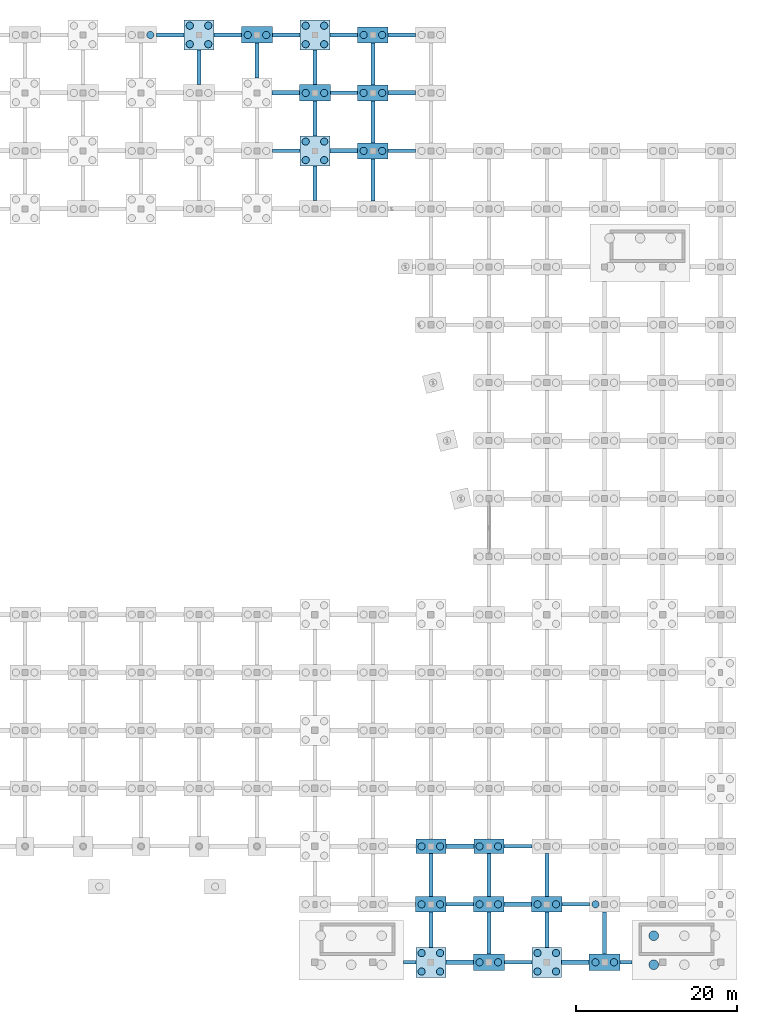
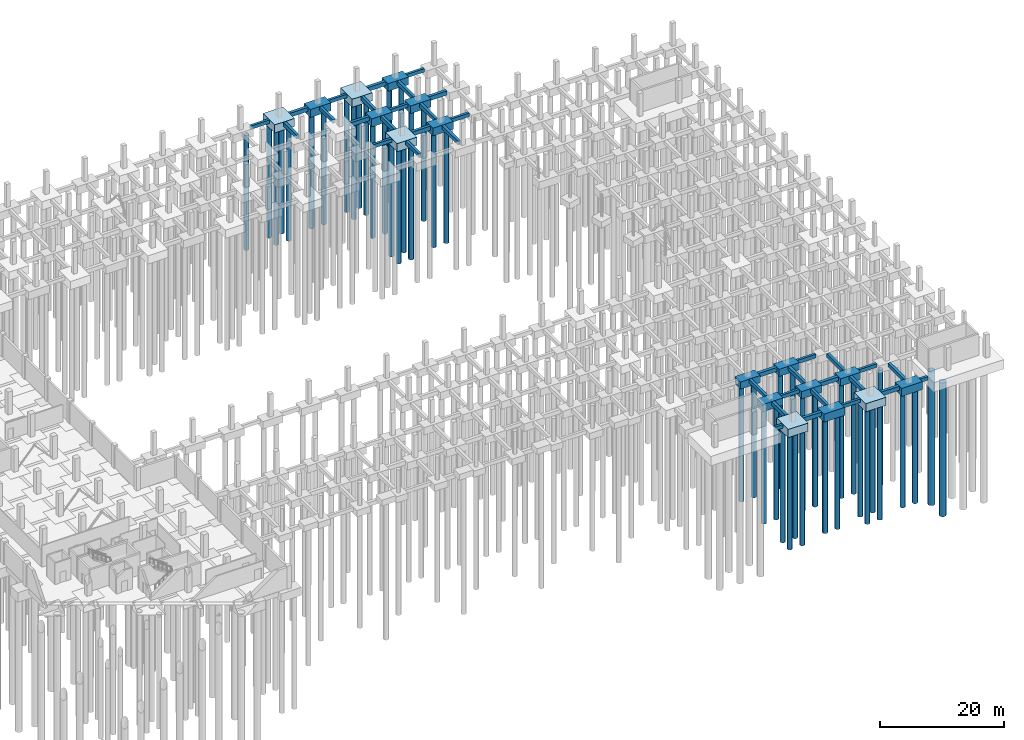
# One storey, part 10 of 36: 53 footings, 48 piles.
"""IFC4 building model written with IfcOpenShell, lengths in metres."""

from ifc_helpers import new_model, si_unit, direction, frame, origin, origin_2d, place, context, subcontext, project, spatial, rectangle, circle, extrude, material, material_profile, profile_set, type_object, element, save


model = new_model("IFC4")

# Units and contexts
model_context = context("Model", 3, precision=1e-05, world=origin(), true_north=direction((0.0, 1.0)))
body_context = subcontext(model_context, "Body", "Model", "MODEL_VIEW")
ifc_project = project(units=[si_unit("LENGTHUNIT", "METRE"), si_unit("AREAUNIT", "SQUARE_METRE"), si_unit("VOLUMEUNIT", "CUBIC_METRE"), si_unit("PLANEANGLEUNIT", "RADIAN"), si_unit("MASSUNIT", "GRAM", prefix="KILO")], contexts=[model_context])

# Site, building, storey
site_placement = place(None, origin())
site = spatial("IfcSite", under=ifc_project, at=site_placement, CompositionType="ELEMENT")
building_placement = place(site_placement, origin())
building = spatial("IfcBuilding", under=site, at=building_placement, Name="Kalmorath City Hall", CompositionType="ELEMENT")
storey_placement = place(building_placement, frame((0.0, 0.0, -4.5)))
storey = spatial("IfcBuildingStorey", under=building, at=storey_placement, Name="B1", CompositionType="ELEMENT", Elevation=-4.5)

# Piles
ifc_material_1 = material(Name="Concrete C40/50", Category="concrete")
ifc_material_profile_1 = material_profile(ifc_material_1, circle(Radius=0.60009765625, at=origin_2d()), Name="PILE-D1200")
ifc_profile_set_1 = profile_set([ifc_material_profile_1], Name="Concrete C40/50")
pile_type_1 = type_object("IfcPileType", Name="Bored concrete pile D1200", PredefinedType="BORED", material=ifc_profile_set_1)
for number, where, z_axis, x_axis, name in (
    (1, (157.300048828125, -0.300048828125, -1.75), (0.0, 0.0, -1.0), (1.0, 0.0, 0.0), "Core mat bored pile PL-1200 FTG-CMAT-C7.1"),
    (2, (157.300048828125, 3.300048828125, -1.75), (0.0, 0.0, -1.0), (1.0, 0.0, 0.0), "Core mat bored pile PL-1200 FTG-CMAT-C7.4"),
):
    element("IfcPile", number, at=place(storey_placement, frame(where, z_axis=z_axis, x_axis=x_axis)), inside=storey, type_object=pile_type_1, Name=name, PredefinedType="BORED", context=body_context, shape_type="SweptSolid", body=[
        extrude(circle(Radius=0.60009765625, at=origin_2d()), origin(), (0.0, 0.0, 1.0), 26.25),
    ])
ifc_material_2 = material(Name="Concrete C40/50", Category="concrete")
ifc_material_profile_2 = material_profile(ifc_material_2, circle(Radius=0.449951171875, at=origin_2d()), Name="PILE-D900")
ifc_profile_set_2 = profile_set([ifc_material_profile_2], Name="Concrete C40/50")
pile_type_2 = type_object("IfcPileType", Name="Bored concrete pile D900", PredefinedType="BORED", material=ifc_profile_set_2)
pile_1_placement = place(storey_placement, frame((94.75, 115.199951171875, -1.449951171875), z_axis=(0.0, 0.0, -1.0), x_axis=(1.0, 0.0, 0.0)))
element("IfcPile", 3, at=pile_1_placement, inside=storey, type_object=pile_type_2, Name="Bored pile PL-900 14.17.2", PredefinedType="BORED", context=body_context, shape_type="SweptSolid", body=[
    extrude(circle(Radius=0.449951171875, at=origin_2d()), origin(), (0.0, 0.0, 1.0), 22.550048828125),
])
for number, where, z_axis, x_axis, name in (
    (4, (99.64990234375, 114.050048828125, -1.5), (0.0, 0.0, -1.0), (1.0, 0.0, 0.0), "Bored pile PL-900 15.17.1"),
    (5, (101.949951171875, 114.050048828125, -1.5), (0.0, 0.0, -1.0), (1.0, 0.0, 0.0), "Bored pile PL-900 15.17.2"),
    (6, (99.64990234375, 116.35009765625, -1.5), (0.0, 0.0, -1.0), (1.0, 0.0, 0.0), "Bored pile PL-900 15.17.3"),
    (7, (101.949951171875, 116.35009765625, -1.5), (0.0, 0.0, -1.0), (1.0, 0.0, 0.0), "Bored pile PL-900 15.17.4"),
):
    element("IfcPile", number, at=place(storey_placement, frame(where, z_axis=z_axis, x_axis=x_axis)), inside=storey, type_object=pile_type_2, Name=name, PredefinedType="BORED", context=body_context, shape_type="SweptSolid", body=[
        extrude(circle(Radius=0.449951171875, at=origin_2d()), origin(), (0.0, 0.0, 1.0), 22.5),
    ])
for number, where, z_axis, x_axis, name in (
    (8, (106.85009765625, 115.199951171875, -1.449951171875), (0.0, 0.0, -1.0), (1.0, 0.0, 0.0), "Bored pile PL-900 16.17.1"),
    (9, (109.14990234375, 115.199951171875, -1.449951171875), (0.0, 0.0, -1.0), (1.0, 0.0, 0.0), "Bored pile PL-900 16.17.2"),
):
    element("IfcPile", number, at=place(storey_placement, frame(where, z_axis=z_axis, x_axis=x_axis)), inside=storey, type_object=pile_type_2, Name=name, PredefinedType="BORED", context=body_context, shape_type="SweptSolid", body=[
        extrude(circle(Radius=0.449951171875, at=origin_2d()), origin(), (0.0, 0.0, 1.0), 22.550048828125),
    ])
for number, where, z_axis, x_axis, name in (
    (10, (114.050048828125, 99.64990234375, -1.5), (0.0, 0.0, -1.0), (1.0, 0.0, 0.0), "Bored pile PL-900 17.15.1"),
    (11, (116.35009765625, 99.64990234375, -1.5), (0.0, 0.0, -1.0), (1.0, 0.0, 0.0), "Bored pile PL-900 17.15.2"),
    (12, (114.050048828125, 101.949951171875, -1.5), (0.0, 0.0, -1.0), (1.0, 0.0, 0.0), "Bored pile PL-900 17.15.3"),
    (13, (116.35009765625, 101.949951171875, -1.5), (0.0, 0.0, -1.0), (1.0, 0.0, 0.0), "Bored pile PL-900 17.15.4"),
):
    element("IfcPile", number, at=place(storey_placement, frame(where, z_axis=z_axis, x_axis=x_axis)), inside=storey, type_object=pile_type_2, Name=name, PredefinedType="BORED", context=body_context, shape_type="SweptSolid", body=[
        extrude(circle(Radius=0.449951171875, at=origin_2d()), origin(), (0.0, 0.0, 1.0), 22.5),
    ])
for number, where, z_axis, x_axis, name in (
    (14, (114.050048828125, 108.0, -1.449951171875), (0.0, 0.0, -1.0), (1.0, 0.0, 0.0), "Bored pile PL-900 17.16.1"),
    (15, (116.35009765625, 108.0, -1.449951171875), (0.0, 0.0, -1.0), (1.0, 0.0, 0.0), "Bored pile PL-900 17.16.2"),
):
    element("IfcPile", number, at=place(storey_placement, frame(where, z_axis=z_axis, x_axis=x_axis)), inside=storey, type_object=pile_type_2, Name=name, PredefinedType="BORED", context=body_context, shape_type="SweptSolid", body=[
        extrude(circle(Radius=0.449951171875, at=origin_2d()), origin(), (0.0, 0.0, 1.0), 22.550048828125),
    ])
for number, where, z_axis, x_axis, name in (
    (16, (114.050048828125, 114.050048828125, -1.5), (0.0, 0.0, -1.0), (1.0, 0.0, 0.0), "Bored pile PL-900 17.17.1"),
    (17, (116.35009765625, 114.050048828125, -1.5), (0.0, 0.0, -1.0), (1.0, 0.0, 0.0), "Bored pile PL-900 17.17.2"),
    (18, (114.050048828125, 116.35009765625, -1.5), (0.0, 0.0, -1.0), (1.0, 0.0, 0.0), "Bored pile PL-900 17.17.3"),
    (19, (116.35009765625, 116.35009765625, -1.5), (0.0, 0.0, -1.0), (1.0, 0.0, 0.0), "Bored pile PL-900 17.17.4"),
):
    element("IfcPile", number, at=place(storey_placement, frame(where, z_axis=z_axis, x_axis=x_axis)), inside=storey, type_object=pile_type_2, Name=name, PredefinedType="BORED", context=body_context, shape_type="SweptSolid", body=[
        extrude(circle(Radius=0.449951171875, at=origin_2d()), origin(), (0.0, 0.0, 1.0), 22.5),
    ])
for number, where, z_axis, x_axis, name in (
    (20, (121.25, 100.800048828125, -1.39990234375), (0.0, 0.0, -1.0), (1.0, 0.0, 0.0), "Bored pile PL-900 18.15.1"),
    (21, (123.550048828125, 100.800048828125, -1.39990234375), (0.0, 0.0, -1.0), (1.0, 0.0, 0.0), "Bored pile PL-900 18.15.2"),
    (22, (121.25, 108.0, -1.39990234375), (0.0, 0.0, -1.0), (1.0, 0.0, 0.0), "Bored pile PL-900 18.16.1"),
    (23, (123.550048828125, 108.0, -1.39990234375), (0.0, 0.0, -1.0), (1.0, 0.0, 0.0), "Bored pile PL-900 18.16.2"),
    (24, (121.25, 115.199951171875, -1.39990234375), (0.0, 0.0, -1.0), (1.0, 0.0, 0.0), "Bored pile PL-900 18.17.1"),
    (25, (123.550048828125, 115.199951171875, -1.39990234375), (0.0, 0.0, -1.0), (1.0, 0.0, 0.0), "Bored pile PL-900 18.17.2"),
):
    element("IfcPile", number, at=place(storey_placement, frame(where, z_axis=z_axis, x_axis=x_axis)), inside=storey, type_object=pile_type_2, Name=name, PredefinedType="BORED", context=body_context, shape_type="SweptSolid", body=[
        extrude(circle(Radius=0.449951171875, at=origin_2d()), origin(), (0.0, 0.0, 1.0), 22.60009765625),
    ])
for number, where, z_axis, x_axis, name in (
    (26, (128.449951171875, -1.14990234375, -1.5), (0.0, 0.0, -1.0), (1.0, 0.0, 0.0), "Bored pile PL-900 19.1.1"),
    (27, (130.75, -1.14990234375, -1.5), (0.0, 0.0, -1.0), (1.0, 0.0, 0.0), "Bored pile PL-900 19.1.2"),
    (28, (128.449951171875, 1.14990234375, -1.5), (0.0, 0.0, -1.0), (1.0, 0.0, 0.0), "Bored pile PL-900 19.1.3"),
    (29, (130.75, 1.14990234375, -1.5), (0.0, 0.0, -1.0), (1.0, 0.0, 0.0), "Bored pile PL-900 19.1.4"),
):
    element("IfcPile", number, at=place(storey_placement, frame(where, z_axis=z_axis, x_axis=x_axis)), inside=storey, type_object=pile_type_2, Name=name, PredefinedType="BORED", context=body_context, shape_type="SweptSolid", body=[
        extrude(circle(Radius=0.449951171875, at=origin_2d()), origin(), (0.0, 0.0, 1.0), 22.5),
    ])
for number, where, z_axis, x_axis, name in (
    (30, (128.449951171875, 7.199951171875, -1.35009765625), (0.0, 0.0, -1.0), (1.0, 0.0, 0.0), "Bored pile PL-900 19.2.1"),
    (31, (130.75, 7.199951171875, -1.35009765625), (0.0, 0.0, -1.0), (1.0, 0.0, 0.0), "Bored pile PL-900 19.2.2"),
):
    element("IfcPile", number, at=place(storey_placement, frame(where, z_axis=z_axis, x_axis=x_axis)), inside=storey, type_object=pile_type_2, Name=name, PredefinedType="BORED", context=body_context, shape_type="SweptSolid", body=[
        extrude(circle(Radius=0.449951171875, at=origin_2d()), origin(), (0.0, 0.0, 1.0), 22.64990234375),
    ])
for number, where, z_axis, x_axis, name in (
    (32, (128.449951171875, 14.39990234375, -1.300048828125), (0.0, 0.0, -1.0), (1.0, 0.0, 0.0), "Bored pile PL-900 19.3.1"),
    (33, (130.75, 14.39990234375, -1.300048828125), (0.0, 0.0, -1.0), (1.0, 0.0, 0.0), "Bored pile PL-900 19.3.2"),
):
    element("IfcPile", number, at=place(storey_placement, frame(where, z_axis=z_axis, x_axis=x_axis)), inside=storey, type_object=pile_type_2, Name=name, PredefinedType="BORED", context=body_context, shape_type="SweptSolid", body=[
        extrude(circle(Radius=0.449951171875, at=origin_2d()), origin(), (0.0, 0.0, 1.0), 22.699951171875),
    ])
for number, where, z_axis, x_axis, name in (
    (34, (135.64990234375, 0.0, -1.449951171875), (0.0, 0.0, -1.0), (1.0, 0.0, 0.0), "Bored pile PL-900 20.1.1"),
    (35, (137.949951171875, 0.0, -1.449951171875), (0.0, 0.0, -1.0), (1.0, 0.0, 0.0), "Bored pile PL-900 20.1.2"),
):
    element("IfcPile", number, at=place(storey_placement, frame(where, z_axis=z_axis, x_axis=x_axis)), inside=storey, type_object=pile_type_2, Name=name, PredefinedType="BORED", context=body_context, shape_type="SweptSolid", body=[
        extrude(circle(Radius=0.449951171875, at=origin_2d()), origin(), (0.0, 0.0, 1.0), 22.550048828125),
    ])
for number, where, z_axis, x_axis, name in (
    (36, (135.64990234375, 7.199951171875, -1.35009765625), (0.0, 0.0, -1.0), (1.0, 0.0, 0.0), "Bored pile PL-900 20.2.1"),
    (37, (137.949951171875, 7.199951171875, -1.35009765625), (0.0, 0.0, -1.0), (1.0, 0.0, 0.0), "Bored pile PL-900 20.2.2"),
):
    element("IfcPile", number, at=place(storey_placement, frame(where, z_axis=z_axis, x_axis=x_axis)), inside=storey, type_object=pile_type_2, Name=name, PredefinedType="BORED", context=body_context, shape_type="SweptSolid", body=[
        extrude(circle(Radius=0.449951171875, at=origin_2d()), origin(), (0.0, 0.0, 1.0), 22.64990234375),
    ])
for number, where, z_axis, x_axis, name in (
    (38, (135.64990234375, 14.39990234375, -1.300048828125), (0.0, 0.0, -1.0), (1.0, 0.0, 0.0), "Bored pile PL-900 20.3.1"),
    (39, (137.949951171875, 14.39990234375, -1.300048828125), (0.0, 0.0, -1.0), (1.0, 0.0, 0.0), "Bored pile PL-900 20.3.2"),
):
    element("IfcPile", number, at=place(storey_placement, frame(where, z_axis=z_axis, x_axis=x_axis)), inside=storey, type_object=pile_type_2, Name=name, PredefinedType="BORED", context=body_context, shape_type="SweptSolid", body=[
        extrude(circle(Radius=0.449951171875, at=origin_2d()), origin(), (0.0, 0.0, 1.0), 22.699951171875),
    ])
for number, where, z_axis, x_axis, name in (
    (40, (142.85009765625, -1.14990234375, -1.5), (0.0, 0.0, -1.0), (1.0, 0.0, 0.0), "Bored pile PL-900 21.1.1"),
    (41, (145.14990234375, -1.14990234375, -1.5), (0.0, 0.0, -1.0), (1.0, 0.0, 0.0), "Bored pile PL-900 21.1.2"),
    (42, (142.85009765625, 1.14990234375, -1.5), (0.0, 0.0, -1.0), (1.0, 0.0, 0.0), "Bored pile PL-900 21.1.3"),
    (43, (145.14990234375, 1.14990234375, -1.5), (0.0, 0.0, -1.0), (1.0, 0.0, 0.0), "Bored pile PL-900 21.1.4"),
):
    element("IfcPile", number, at=place(storey_placement, frame(where, z_axis=z_axis, x_axis=x_axis)), inside=storey, type_object=pile_type_2, Name=name, PredefinedType="BORED", context=body_context, shape_type="SweptSolid", body=[
        extrude(circle(Radius=0.449951171875, at=origin_2d()), origin(), (0.0, 0.0, 1.0), 22.5),
    ])
for number, where, z_axis, x_axis, name in (
    (44, (142.85009765625, 7.199951171875, -1.35009765625), (0.0, 0.0, -1.0), (1.0, 0.0, 0.0), "Bored pile PL-900 21.2.1"),
    (45, (145.14990234375, 7.199951171875, -1.35009765625), (0.0, 0.0, -1.0), (1.0, 0.0, 0.0), "Bored pile PL-900 21.2.2"),
):
    element("IfcPile", number, at=place(storey_placement, frame(where, z_axis=z_axis, x_axis=x_axis)), inside=storey, type_object=pile_type_2, Name=name, PredefinedType="BORED", context=body_context, shape_type="SweptSolid", body=[
        extrude(circle(Radius=0.449951171875, at=origin_2d()), origin(), (0.0, 0.0, 1.0), 22.64990234375),
    ])
for number, where, z_axis, x_axis, name in (
    (46, (150.050048828125, 0.0, -1.449951171875), (0.0, 0.0, -1.0), (1.0, 0.0, 0.0), "Bored pile PL-900 22.1.1"),
    (47, (152.35009765625, 0.0, -1.449951171875), (0.0, 0.0, -1.0), (1.0, 0.0, 0.0), "Bored pile PL-900 22.1.2"),
):
    element("IfcPile", number, at=place(storey_placement, frame(where, z_axis=z_axis, x_axis=x_axis)), inside=storey, type_object=pile_type_2, Name=name, PredefinedType="BORED", context=body_context, shape_type="SweptSolid", body=[
        extrude(circle(Radius=0.449951171875, at=origin_2d()), origin(), (0.0, 0.0, 1.0), 22.550048828125),
    ])
pile_2_placement = place(storey_placement, frame((150.050048828125, 7.199951171875, -1.35009765625), z_axis=(0.0, 0.0, -1.0), x_axis=(1.0, 0.0, 0.0)))
element("IfcPile", 48, at=pile_2_placement, inside=storey, type_object=pile_type_2, Name="Bored pile PL-900 22.2.1", PredefinedType="BORED", context=body_context, shape_type="SweptSolid", body=[
    extrude(circle(Radius=0.449951171875, at=origin_2d()), origin(), (0.0, 0.0, 1.0), 22.64990234375),
])

# Footings
ifc_material_3 = material(Name="Concrete C40/50", Category="concrete")
ifc_material_profile_3 = material_profile(ifc_material_3, rectangle(XDim=0.449951171875, YDim=0.699951171875, at=origin_2d()), Name="RC-BM-450X700")
ifc_profile_set_3 = profile_set([ifc_material_profile_3], Name="Concrete C40/50")
footing_type_1 = type_object("IfcFootingType", Name="Concrete ground tie beam 450x700", PredefinedType="FOOTING_BEAM", material=ifc_profile_set_3)
for number, where, z_axis, x_axis, name in (
    (49, (95.52490234375, 115.199951171875, -0.35009765625), (1.0, 0.0, 0.0), (0.0, 1.0, 0.0), "Ground tie beam GB4 X14-17"),
    (50, (109.925048828125, 100.800048828125, -0.35009765625), (1.0, 0.0, 0.0), (0.0, 1.0, 0.0), "Ground tie beam GB4 X16-15"),
    (51, (109.925048828125, 115.199951171875, -0.35009765625), (1.0, 0.0, 0.0), (0.0, 1.0, 0.0), "Ground tie beam GB4 X16-17"),
):
    element("IfcFooting", number, at=place(storey_placement, frame(where, z_axis=z_axis, x_axis=x_axis)), inside=storey, type_object=footing_type_1, Name=name, PredefinedType="FOOTING_BEAM", context=body_context, shape_type="SweptSolid", body=[
        extrude(rectangle(XDim=0.449951171875, YDim=0.699951171875, at=origin_2d()), origin(), (0.0, 0.0, 1.0), 3.4150390625),
    ])
footing_1_placement = place(storey_placement, frame((117.125, 108.0, -0.35009765625), z_axis=(1.0, 0.0, 0.0), x_axis=(0.0, 1.0, 0.0)))
element("IfcFooting", 52, at=footing_1_placement, inside=storey, type_object=footing_type_1, Name="Ground tie beam GB4 X17-16", PredefinedType="FOOTING_BEAM", context=body_context, shape_type="SweptSolid", body=[
    extrude(rectangle(XDim=0.449951171875, YDim=0.699951171875, at=origin_2d()), origin(), (0.0, 0.0, 1.0), 3.375),
])
footing_2_placement = place(storey_placement, frame((126.199951171875, 0.0, -0.35009765625), z_axis=(1.0, 0.0, 0.0), x_axis=(0.0, 1.0, 0.0)))
element("IfcFooting", 53, at=footing_2_placement, inside=storey, type_object=footing_type_1, Name="Ground tie beam GB4 X18-1", PredefinedType="FOOTING_BEAM", context=body_context, shape_type="SweptSolid", body=[
    extrude(rectangle(XDim=0.449951171875, YDim=0.699951171875, at=origin_2d()), origin(), (0.0, 0.0, 1.0), 1.5400390625),
])
for number, where, z_axis, x_axis, name in (
    (54, (124.300048828125, 100.800048828125, -0.35009765625), (1.0, 0.0, 0.0), (0.0, 1.0, 0.0), "Ground tie beam GB4 X18-15"),
    (55, (124.300048828125, 115.199951171875, -0.35009765625), (1.0, 0.0, 0.0), (0.0, 1.0, 0.0), "Ground tie beam GB4 X18-17"),
):
    element("IfcFooting", number, at=place(storey_placement, frame(where, z_axis=z_axis, x_axis=x_axis)), inside=storey, type_object=footing_type_1, Name=name, PredefinedType="FOOTING_BEAM", context=body_context, shape_type="SweptSolid", body=[
        extrude(rectangle(XDim=0.449951171875, YDim=0.699951171875, at=origin_2d()), origin(), (0.0, 0.0, 1.0), 3.39990234375),
    ])
footing_3_placement = place(storey_placement, frame((131.47998046875, 7.199951171875, -0.35009765625), z_axis=(1.0, 0.0, 0.0), x_axis=(0.0, 1.0, 0.0)))
element("IfcFooting", 56, at=footing_3_placement, inside=storey, type_object=footing_type_1, Name="Ground tie beam GB4 X19-2", PredefinedType="FOOTING_BEAM", context=body_context, shape_type="SweptSolid", body=[
    extrude(rectangle(XDim=0.449951171875, YDim=0.699951171875, at=origin_2d()), origin(), (0.0, 0.0, 1.0), 3.43994140625),
])
footing_4_placement = place(storey_placement, frame((138.72509765625, 0.0, -0.35009765625), z_axis=(1.0, 0.0, 0.0), x_axis=(0.0, 1.0, 0.0)))
element("IfcFooting", 57, at=footing_4_placement, inside=storey, type_object=footing_type_1, Name="Ground tie beam GB4 X20-1", PredefinedType="FOOTING_BEAM", context=body_context, shape_type="SweptSolid", body=[
    extrude(rectangle(XDim=0.449951171875, YDim=0.699951171875, at=origin_2d()), origin(), (0.0, 0.0, 1.0), 3.414794921875),
])
footing_5_placement = place(storey_placement, frame((138.659912109375, 14.39990234375, -0.35009765625), z_axis=(1.0, 0.0, 0.0), x_axis=(0.0, 1.0, 0.0)))
element("IfcFooting", 58, at=footing_5_placement, inside=storey, type_object=footing_type_1, Name="Ground tie beam GB4 X20-3", PredefinedType="FOOTING_BEAM", context=body_context, shape_type="SweptSolid", body=[
    extrude(rectangle(XDim=0.449951171875, YDim=0.699951171875, at=origin_2d()), origin(), (0.0, 0.0, 1.0), 3.47998046875),
])
footing_6_placement = place(storey_placement, frame((145.8798828125, 7.199951171875, -0.35009765625), z_axis=(1.0, 0.0, 0.0), x_axis=(0.0, 1.0, 0.0)))
element("IfcFooting", 59, at=footing_6_placement, inside=storey, type_object=footing_type_1, Name="Ground tie beam GB4 X21-2", PredefinedType="FOOTING_BEAM", context=body_context, shape_type="SweptSolid", body=[
    extrude(rectangle(XDim=0.449951171875, YDim=0.699951171875, at=origin_2d()), origin(), (0.0, 0.0, 1.0), 3.440185546875),
])
footing_7_placement = place(storey_placement, frame((153.125, 0.0, -0.35009765625), z_axis=(1.0, 0.0, 0.0), x_axis=(0.0, 1.0, 0.0)))
element("IfcFooting", 60, at=footing_7_placement, inside=storey, type_object=footing_type_1, Name="Ground tie beam GB4 X22-1", PredefinedType="FOOTING_BEAM", context=body_context, shape_type="SweptSolid", body=[
    extrude(rectangle(XDim=0.449951171875, YDim=0.699951171875, at=origin_2d()), origin(), (0.0, 0.0, 1.0), 1.47509765625),
])
ifc_material_4 = material(Name="Concrete C40/50", Category="concrete")
ifc_material_profile_4 = material_profile(ifc_material_4, rectangle(XDim=0.5, YDim=0.75, at=origin_2d()), Name="RC-BM-500X750")
ifc_profile_set_4 = profile_set([ifc_material_profile_4], Name="Concrete C40/50")
footing_type_2 = type_object("IfcFootingType", Name="Concrete ground tie beam 500x750", PredefinedType="FOOTING_BEAM", material=ifc_profile_set_4)
footing_8_placement = place(storey_placement, frame((100.800048828125, 109.02490234375, -0.375), z_axis=(0.0, 1.0, 0.0), x_axis=(-1.0, 0.0, 0.0)))
element("IfcFooting", 61, at=footing_8_placement, inside=storey, type_object=footing_type_2, Name="Ground tie beam GB3 Y15-16", PredefinedType="FOOTING_BEAM", context=body_context, shape_type="SweptSolid", body=[
    extrude(rectangle(XDim=0.5, YDim=0.75, at=origin_2d()), origin(), (0.0, 0.0, 1.0), 4.315185546875),
])
for number, where, z_axis, x_axis, name in (
    (62, (108.0, 109.860107421875, -0.375), (0.0, 1.0, 0.0), (-1.0, 0.0, 0.0), "Ground tie beam GB3 Y16-16"),
    (63, (115.199951171875, 94.625, -0.375), (0.0, 1.0, 0.0), (-1.0, 0.0, 0.0), "Ground tie beam GB3 Y17-14"),
):
    element("IfcFooting", number, at=place(storey_placement, frame(where, z_axis=z_axis, x_axis=x_axis)), inside=storey, type_object=footing_type_2, Name=name, PredefinedType="FOOTING_BEAM", context=body_context, shape_type="SweptSolid", body=[
        extrude(rectangle(XDim=0.5, YDim=0.75, at=origin_2d()), origin(), (0.0, 0.0, 1.0), 4.31494140625),
    ])
for number, where, z_axis, x_axis, name in (
    (64, (115.199951171875, 102.659912109375, -0.375), (0.0, 1.0, 0.0), (-1.0, 0.0, 0.0), "Ground tie beam GB3 Y17-15"),
    (65, (115.199951171875, 109.02490234375, -0.375), (0.0, 1.0, 0.0), (-1.0, 0.0, 0.0), "Ground tie beam GB3 Y17-16"),
):
    element("IfcFooting", number, at=place(storey_placement, frame(where, z_axis=z_axis, x_axis=x_axis)), inside=storey, type_object=footing_type_2, Name=name, PredefinedType="FOOTING_BEAM", context=body_context, shape_type="SweptSolid", body=[
        extrude(rectangle(XDim=0.5, YDim=0.75, at=origin_2d()), origin(), (0.0, 0.0, 1.0), 4.315185546875),
    ])
for number, where, z_axis, x_axis, name in (
    (66, (122.39990234375, 94.590087890625, -0.375), (0.0, 1.0, 0.0), (-1.0, 0.0, 0.0), "Ground tie beam GB3 Y18-14"),
    (67, (122.39990234375, 101.7900390625, -0.375), (0.0, 1.0, 0.0), (-1.0, 0.0, 0.0), "Ground tie beam GB3 Y18-15"),
    (68, (122.39990234375, 108.989990234375, -0.375), (0.0, 1.0, 0.0), (-1.0, 0.0, 0.0), "Ground tie beam GB3 Y18-16"),
):
    element("IfcFooting", number, at=place(storey_placement, frame(where, z_axis=z_axis, x_axis=x_axis)), inside=storey, type_object=footing_type_2, Name=name, PredefinedType="FOOTING_BEAM", context=body_context, shape_type="SweptSolid", body=[
        extrude(rectangle(XDim=0.5, YDim=0.75, at=origin_2d()), origin(), (0.0, 0.0, 1.0), 5.219970703125),
    ])
footing_9_placement = place(storey_placement, frame((129.60009765625, 1.860107421875, -0.375), z_axis=(0.0, 1.0, 0.0), x_axis=(-1.0, 0.0, 0.0)))
element("IfcFooting", 69, at=footing_9_placement, inside=storey, type_object=footing_type_2, Name="Ground tie beam GB3 Y19-1", PredefinedType="FOOTING_BEAM", context=body_context, shape_type="SweptSolid", body=[
    extrude(rectangle(XDim=0.5, YDim=0.75, at=origin_2d()), origin(), (0.0, 0.0, 1.0), 4.389892578125),
])
footing_10_placement = place(storey_placement, frame((129.60009765625, 8.14990234375, -0.375), z_axis=(0.0, 1.0, 0.0), x_axis=(-1.0, 0.0, 0.0)))
element("IfcFooting", 70, at=footing_10_placement, inside=storey, type_object=footing_type_2, Name="Ground tie beam GB3 Y19-2", PredefinedType="FOOTING_BEAM", context=body_context, shape_type="SweptSolid", body=[
    extrude(rectangle(XDim=0.5, YDim=0.75, at=origin_2d()), origin(), (0.0, 0.0, 1.0), 5.340087890625),
])
footing_11_placement = place(storey_placement, frame((136.800048828125, 1.02490234375, -0.375), z_axis=(0.0, 1.0, 0.0), x_axis=(-1.0, 0.0, 0.0)))
element("IfcFooting", 71, at=footing_11_placement, inside=storey, type_object=footing_type_2, Name="Ground tie beam GB3 Y20-1", PredefinedType="FOOTING_BEAM", context=body_context, shape_type="SweptSolid", body=[
    extrude(rectangle(XDim=0.5, YDim=0.75, at=origin_2d()), origin(), (0.0, 0.0, 1.0), 5.22509765625),
])
footing_12_placement = place(storey_placement, frame((136.800048828125, 8.14990234375, -0.375), z_axis=(0.0, 1.0, 0.0), x_axis=(-1.0, 0.0, 0.0)))
element("IfcFooting", 72, at=footing_12_placement, inside=storey, type_object=footing_type_2, Name="Ground tie beam GB3 Y20-2", PredefinedType="FOOTING_BEAM", context=body_context, shape_type="SweptSolid", body=[
    extrude(rectangle(XDim=0.5, YDim=0.75, at=origin_2d()), origin(), (0.0, 0.0, 1.0), 5.340087890625),
])
footing_13_placement = place(storey_placement, frame((144.0, 1.860107421875, -0.375), z_axis=(0.0, 1.0, 0.0), x_axis=(-1.0, 0.0, 0.0)))
element("IfcFooting", 73, at=footing_13_placement, inside=storey, type_object=footing_type_2, Name="Ground tie beam GB3 Y21-1", PredefinedType="FOOTING_BEAM", context=body_context, shape_type="SweptSolid", body=[
    extrude(rectangle(XDim=0.5, YDim=0.75, at=origin_2d()), origin(), (0.0, 0.0, 1.0), 4.389892578125),
])
footing_14_placement = place(storey_placement, frame((144.0, 8.14990234375, -0.375), z_axis=(0.0, 1.0, 0.0), x_axis=(-1.0, 0.0, 0.0)))
element("IfcFooting", 74, at=footing_14_placement, inside=storey, type_object=footing_type_2, Name="Ground tie beam GB3 Y21-2", PredefinedType="FOOTING_BEAM", context=body_context, shape_type="SweptSolid", body=[
    extrude(rectangle(XDim=0.5, YDim=0.75, at=origin_2d()), origin(), (0.0, 0.0, 1.0), 5.340087890625),
])
footing_15_placement = place(storey_placement, frame((151.199951171875, 1.02490234375, -0.375), z_axis=(0.0, 1.0, 0.0), x_axis=(-1.0, 0.0, 0.0)))
element("IfcFooting", 75, at=footing_15_placement, inside=storey, type_object=footing_type_2, Name="Ground tie beam GB3 Y22-1", PredefinedType="FOOTING_BEAM", context=body_context, shape_type="SweptSolid", body=[
    extrude(rectangle(XDim=0.5, YDim=0.75, at=origin_2d()), origin(), (0.0, 0.0, 1.0), 5.22509765625),
])
ifc_material_5 = material(Name="Concrete C40/50", Category="concrete")
ifc_material_profile_5 = material_profile(ifc_material_5, rectangle(XDim=0.550048828125, YDim=0.800048828125, at=origin_2d()), Name="RC-BM-550X800")
ifc_profile_set_5 = profile_set([ifc_material_profile_5], Name="Concrete C40/50")
footing_type_3 = type_object("IfcFootingType", Name="Concrete ground tie beam 550x800", PredefinedType="FOOTING_BEAM", material=ifc_profile_set_5)
footing_16_placement = place(storey_placement, frame((102.659912109375, 115.199951171875, -0.39990234375), z_axis=(1.0, 0.0, 0.0), x_axis=(0.0, 1.0, 0.0)))
element("IfcFooting", 76, at=footing_16_placement, inside=storey, type_object=footing_type_3, Name="Ground tie beam GB2 X15-17", PredefinedType="FOOTING_BEAM", context=body_context, shape_type="SweptSolid", body=[
    extrude(rectangle(XDim=0.550048828125, YDim=0.800048828125, at=origin_2d()), origin(), (0.0, 0.0, 1.0), 3.4150390625),
])
footing_17_placement = place(storey_placement, frame((109.860107421875, 108.0, -0.39990234375), z_axis=(1.0, 0.0, 0.0), x_axis=(0.0, 1.0, 0.0)))
element("IfcFooting", 77, at=footing_17_placement, inside=storey, type_object=footing_type_3, Name="Ground tie beam GB2 X16-16", PredefinedType="FOOTING_BEAM", context=body_context, shape_type="SweptSolid", body=[
    extrude(rectangle(XDim=0.550048828125, YDim=0.800048828125, at=origin_2d()), origin(), (0.0, 0.0, 1.0), 3.414794921875),
])
for number, where, z_axis, x_axis, name in (
    (78, (117.06005859375, 100.800048828125, -0.39990234375), (1.0, 0.0, 0.0), (0.0, 1.0, 0.0), "Ground tie beam GB2 X17-15"),
    (79, (117.06005859375, 115.199951171875, -0.39990234375), (1.0, 0.0, 0.0), (0.0, 1.0, 0.0), "Ground tie beam GB2 X17-17"),
):
    element("IfcFooting", number, at=place(storey_placement, frame(where, z_axis=z_axis, x_axis=x_axis)), inside=storey, type_object=footing_type_3, Name=name, PredefinedType="FOOTING_BEAM", context=body_context, shape_type="SweptSolid", body=[
        extrude(rectangle(XDim=0.550048828125, YDim=0.800048828125, at=origin_2d()), origin(), (0.0, 0.0, 1.0), 3.43994140625),
    ])
footing_18_placement = place(storey_placement, frame((124.300048828125, 108.0, -0.39990234375), z_axis=(1.0, 0.0, 0.0), x_axis=(0.0, 1.0, 0.0)))
element("IfcFooting", 80, at=footing_18_placement, inside=storey, type_object=footing_type_3, Name="Ground tie beam GB2 X18-16", PredefinedType="FOOTING_BEAM", context=body_context, shape_type="SweptSolid", body=[
    extrude(rectangle(XDim=0.550048828125, YDim=0.800048828125, at=origin_2d()), origin(), (0.0, 0.0, 1.0), 3.39990234375),
])
footing_19_placement = place(storey_placement, frame((131.4599609375, 0.0, -0.39990234375), z_axis=(1.0, 0.0, 0.0), x_axis=(0.0, 1.0, 0.0)))
element("IfcFooting", 81, at=footing_19_placement, inside=storey, type_object=footing_type_3, Name="Ground tie beam GB2 X19-1", PredefinedType="FOOTING_BEAM", context=body_context, shape_type="SweptSolid", body=[
    extrude(rectangle(XDim=0.550048828125, YDim=0.800048828125, at=origin_2d()), origin(), (0.0, 0.0, 1.0), 3.4150390625),
])
footing_20_placement = place(storey_placement, frame((131.4599609375, 14.39990234375, -0.39990234375), z_axis=(1.0, 0.0, 0.0), x_axis=(0.0, 1.0, 0.0)))
element("IfcFooting", 82, at=footing_20_placement, inside=storey, type_object=footing_type_3, Name="Ground tie beam GB2 X19-3", PredefinedType="FOOTING_BEAM", context=body_context, shape_type="SweptSolid", body=[
    extrude(rectangle(XDim=0.550048828125, YDim=0.800048828125, at=origin_2d()), origin(), (0.0, 0.0, 1.0), 3.47998046875),
])
footing_21_placement = place(storey_placement, frame((138.679931640625, 7.199951171875, -0.39990234375), z_axis=(1.0, 0.0, 0.0), x_axis=(0.0, 1.0, 0.0)))
element("IfcFooting", 83, at=footing_21_placement, inside=storey, type_object=footing_type_3, Name="Ground tie beam GB2 X20-2", PredefinedType="FOOTING_BEAM", context=body_context, shape_type="SweptSolid", body=[
    extrude(rectangle(XDim=0.550048828125, YDim=0.800048828125, at=origin_2d()), origin(), (0.0, 0.0, 1.0), 3.440185546875),
])
footing_22_placement = place(storey_placement, frame((145.860107421875, 0.0, -0.39990234375), z_axis=(1.0, 0.0, 0.0), x_axis=(0.0, 1.0, 0.0)))
element("IfcFooting", 84, at=footing_22_placement, inside=storey, type_object=footing_type_3, Name="Ground tie beam GB2 X21-1", PredefinedType="FOOTING_BEAM", context=body_context, shape_type="SweptSolid", body=[
    extrude(rectangle(XDim=0.550048828125, YDim=0.800048828125, at=origin_2d()), origin(), (0.0, 0.0, 1.0), 3.414794921875),
])
ifc_material_6 = material(Name="Concrete C40/50", Category="concrete")
footing_type_4 = type_object("IfcFootingType", Name="Four-pile concrete cap 3720x3720x1600", PredefinedType="PILE_CAP", material=ifc_material_6)
for number, where, z_axis, x_axis, name in (
    (85, (100.800048828125, 115.199951171875, -1.60009765625), (0.0, 0.0, 1.0), (1.0, 0.0, 0.0), "Footing PC3 (15/17)"),
    (86, (115.199951171875, 100.800048828125, -1.60009765625), (0.0, 0.0, 1.0), (1.0, 0.0, 0.0), "Footing PC3 (17/15)"),
    (87, (115.199951171875, 115.199951171875, -1.60009765625), (0.0, 0.0, 1.0), (1.0, 0.0, 0.0), "Footing PC3 (17/17)"),
    (88, (129.60009765625, 0.0, -1.60009765625), (0.0, 0.0, 1.0), (1.0, 0.0, 0.0), "Footing PC3 (19/1)"),
    (89, (144.0, 0.0, -1.60009765625), (0.0, 0.0, 1.0), (1.0, 0.0, 0.0), "Footing PC3 (21/1)"),
):
    element("IfcFooting", number, at=place(storey_placement, frame(where, z_axis=z_axis, x_axis=x_axis)), inside=storey, type_object=footing_type_4, Name=name, PredefinedType="PILE_CAP", context=body_context, shape_type="SweptSolid", body=[
        extrude(rectangle(XDim=3.719970703125, YDim=3.719970703125, at=origin_2d()), origin(), (0.0, 0.0, 1.0), 1.60009765625),
    ])
ifc_material_7 = material(Name="Concrete C40/50", Category="concrete")
footing_type_5 = type_object("IfcFootingType", Name="Two-pile concrete cap 3720x1820x1400", PredefinedType="PILE_CAP", material=ifc_material_7)
for number, where, z_axis, x_axis, name in (
    (90, (129.60009765625, 14.39990234375, -1.39990234375), (0.0, 0.0, 1.0), (1.0, 0.0, 0.0), "Footing PC9 (19/3)"),
    (91, (136.800048828125, 14.39990234375, -1.39990234375), (0.0, 0.0, 1.0), (1.0, 0.0, 0.0), "Footing PC9 (20/3)"),
):
    element("IfcFooting", number, at=place(storey_placement, frame(where, z_axis=z_axis, x_axis=x_axis)), inside=storey, type_object=footing_type_5, Name=name, PredefinedType="PILE_CAP", context=body_context, shape_type="SweptSolid", body=[
        extrude(rectangle(XDim=3.719970703125, YDim=1.820068359375, at=origin_2d()), origin(), (0.0, 0.0, 1.0), 1.39990234375),
    ])
ifc_material_8 = material(Name="Concrete C40/50", Category="concrete")
footing_type_6 = type_object("IfcFootingType", Name="Two-pile concrete cap 3760x1900x1450", PredefinedType="PILE_CAP", material=ifc_material_8)
for number, where, z_axis, x_axis, name in (
    (92, (129.60009765625, 7.199951171875, -1.4501953125), (0.0, 0.0, 1.0), (1.0, 0.0, 0.0), "Footing PC8 (19/2)"),
    (93, (136.800048828125, 7.199951171875, -1.4501953125), (0.0, 0.0, 1.0), (1.0, 0.0, 0.0), "Footing PC8 (20/2)"),
    (94, (144.0, 7.199951171875, -1.4501953125), (0.0, 0.0, 1.0), (1.0, 0.0, 0.0), "Footing PC8 (21/2)"),
):
    element("IfcFooting", number, at=place(storey_placement, frame(where, z_axis=z_axis, x_axis=x_axis)), inside=storey, type_object=footing_type_6, Name=name, PredefinedType="PILE_CAP", context=body_context, shape_type="SweptSolid", body=[
        extrude(rectangle(XDim=3.760009765625, YDim=1.89990234375, at=origin_2d()), origin(), (0.0, 0.0, 1.0), 1.449951171875),
    ])
ifc_material_9 = material(Name="Concrete C40/50", Category="concrete")
footing_type_7 = type_object("IfcFootingType", Name="Two-pile concrete cap 3800x1980x1500", PredefinedType="PILE_CAP", material=ifc_material_9)
for number, where, z_axis, x_axis, name in (
    (95, (122.39990234375, 100.800048828125, -1.5), (0.0, 0.0, 1.0), (1.0, 0.0, 0.0), "Footing PC7 (18/15)"),
    (96, (122.39990234375, 108.0, -1.5), (0.0, 0.0, 1.0), (1.0, 0.0, 0.0), "Footing PC7 (18/16)"),
    (97, (122.39990234375, 115.199951171875, -1.5), (0.0, 0.0, 1.0), (1.0, 0.0, 0.0), "Footing PC7 (18/17)"),
):
    element("IfcFooting", number, at=place(storey_placement, frame(where, z_axis=z_axis, x_axis=x_axis)), inside=storey, type_object=footing_type_7, Name=name, PredefinedType="PILE_CAP", context=body_context, shape_type="SweptSolid", body=[
        extrude(rectangle(XDim=3.800048828125, YDim=1.97998046875, at=origin_2d()), origin(), (0.0, 0.0, 1.0), 1.5),
    ])
ifc_material_10 = material(Name="Concrete C40/50", Category="concrete")
footing_type_8 = type_object("IfcFootingType", Name="Two-pile concrete cap 3850x2050x1550", PredefinedType="PILE_CAP", material=ifc_material_10)
for number, where, z_axis, x_axis, name in (
    (98, (108.0, 115.199951171875, -1.5498046875), (0.0, 0.0, 1.0), (1.0, 0.0, 0.0), "Footing PC6 (16/17)"),
    (99, (115.199951171875, 108.0, -1.5498046875), (0.0, 0.0, 1.0), (1.0, 0.0, 0.0), "Footing PC6 (17/16)"),
    (100, (136.800048828125, 0.0, -1.5498046875), (0.0, 0.0, 1.0), (1.0, 0.0, 0.0), "Footing PC6 (20/1)"),
    (101, (151.199951171875, 0.0, -1.5498046875), (0.0, 0.0, 1.0), (1.0, 0.0, 0.0), "Footing PC6 (22/1)"),
):
    element("IfcFooting", number, at=place(storey_placement, frame(where, z_axis=z_axis, x_axis=x_axis)), inside=storey, type_object=footing_type_8, Name=name, PredefinedType="PILE_CAP", context=body_context, shape_type="SweptSolid", body=[
        extrude(rectangle(XDim=3.85009765625, YDim=2.050048828125, at=origin_2d()), origin(), (0.0, 0.0, 1.0), 1.550048828125),
    ])

save(model, "model.ifc")
